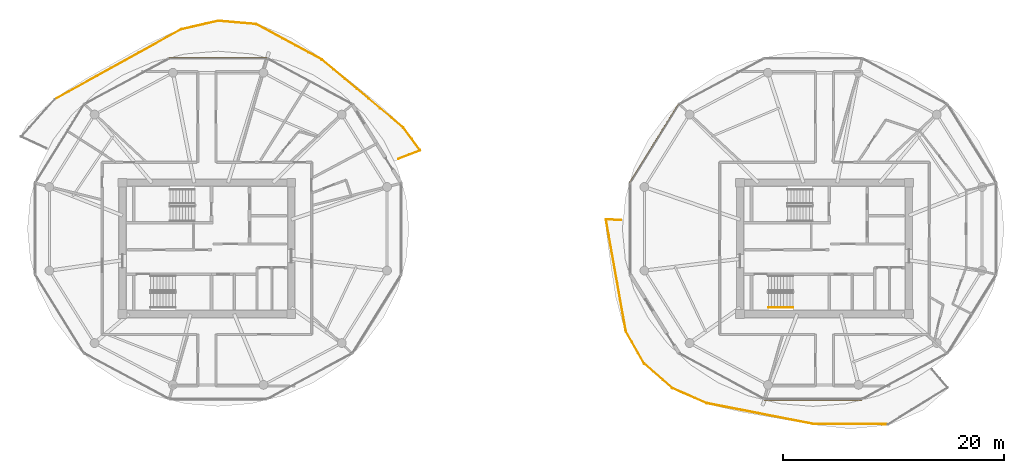
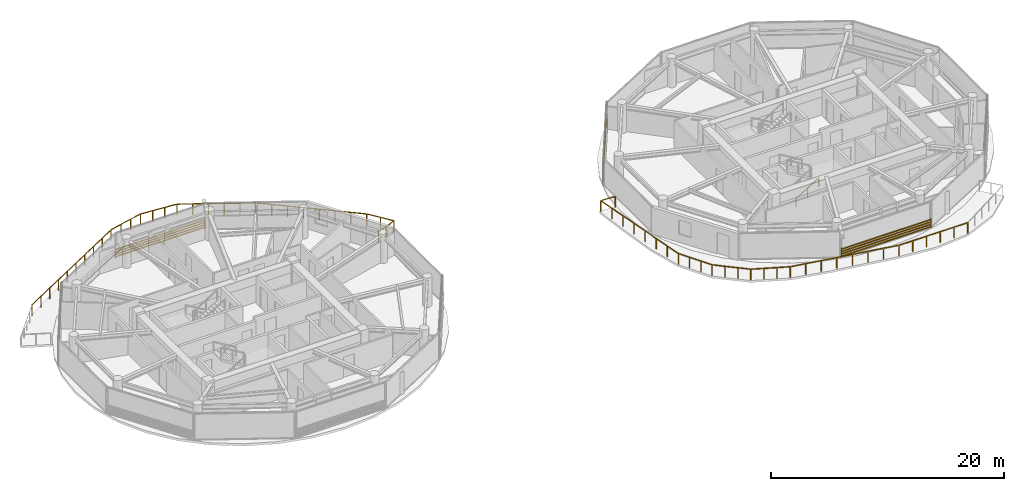
# One storey, part 20 of 21: 3 railings, 3 shading devices.
"""IFC4 building model written with IfcOpenShell, lengths in metres."""

from ifc_helpers import new_model, si_unit, direction, frame, origin, origin_2d, place, context, subcontext, project, spatial, rectangle, extrude, source, transform, mapped, material, type_object, type_shapes, element, save


model = new_model("IFC4")

# Units and contexts
model_context = context("Model", 3, precision=1e-05, world=origin(), true_north=direction((0.0, 1.0)))
body_context = subcontext(model_context, "Body", "Model", "MODEL_VIEW")
ifc_project = project(units=[si_unit("LENGTHUNIT", "METRE"), si_unit("AREAUNIT", "SQUARE_METRE"), si_unit("VOLUMEUNIT", "CUBIC_METRE"), si_unit("PLANEANGLEUNIT", "RADIAN"), si_unit("MASSUNIT", "GRAM", prefix="KILO")], contexts=[model_context])

# Site, building, storey
site_placement = place(None, origin())
site = spatial("IfcSite", under=ifc_project, at=site_placement, CompositionType="ELEMENT")
building_placement = place(site_placement, origin())
building = spatial("IfcBuilding", under=site, at=building_placement, Name="Norrkilde Senior Care Towers", CompositionType="ELEMENT")
storey_placement = place(building_placement, frame((0.0, 0.0, 143.449951171875)))
storey = spatial("IfcBuildingStorey", under=building, at=storey_placement, Name="L44", CompositionType="ELEMENT", Elevation=143.449951171875)

# Railings
ifc_material_1 = material(Name="Anodised Aluminium", Category="aluminium")
railing_type_1 = type_object("IfcRailingType", Name="Balcony Swirl Ribbon Guardrail 1150", PredefinedType="GUARDRAIL", material=ifc_material_1)
railing_1_placement = place(storey_placement, frame((33.777099609375, -15.94775390625, 0.0)))
element("IfcRailing", 1, at=railing_1_placement, inside=storey, type_object=railing_type_1, Name="L44 Perimeter Safety Guard 01", PredefinedType="GUARDRAIL", context=body_context, shape_type="SweptSolid", body=[
    extrude(rectangle(XDim=0.048095703125, YDim=0.048095703125, at=origin_2d()), frame((0.0, 0.0, 1.1259765625), z_axis=(-0.999988221995, 0.00485343915, 0.0), x_axis=(-0.00485343915, -0.999988221995, 0.0)), (0.0, 0.0, 1.0), 6.75),
    extrude(rectangle(XDim=0.048095703125, YDim=0.048095703125, at=origin_2d()), frame((-6.830810546875, 0.040771484375, 1.1259765625), z_axis=(-0.981655827203, 0.19066157693, 0.0), x_axis=(-0.19066157693, -0.981655827203, 0.0)), (0.0, 0.0, 1.0), 9.779296875),
    extrude(rectangle(XDim=0.048095703125, YDim=0.048095703125, at=origin_2d()), frame((-16.50830078125, 1.929443359375, 1.1259765625), z_axis=(-0.915880013553, 0.401452115169, 0.0), x_axis=(-0.401452115169, -0.915880013553, 0.0)), (0.0, 0.0, 1.0), 3.3154296875),
    extrude(rectangle(XDim=0.048095703125, YDim=0.048095703125, at=origin_2d()), frame((-19.613037109375, 3.3037109375, 1.1259765625), z_axis=(-0.752075137513, 0.659077375985, 0.0), x_axis=(-0.659077375985, -0.752075137513, 0.0)), (0.0, 0.0, 1.0), 3.296875),
    extrude(rectangle(XDim=0.048095703125, YDim=0.048095703125, at=origin_2d()), frame((-22.1435546875, 5.5390625, 1.1259765625), z_axis=(-0.49504093983, 0.86886964954, 0.0), x_axis=(-0.86886964954, -0.49504093983, 0.0)), (0.0, 0.0, 1.0), 3.271728515625),
    extrude(rectangle(XDim=0.048095703125, YDim=0.048095703125, at=origin_2d()), frame((-23.79052734375, 8.457763671875, 1.1259765625), z_axis=(-0.175376301925, 0.984501474211, 0.0), x_axis=(-0.984501474211, -0.175376301925, 0.0)), (0.0, 0.0, 1.0), 10.23779296875),
    extrude(rectangle(XDim=0.048095703125, YDim=0.048095703125, at=origin_2d()), frame((-25.552490234375, 18.5751953125, 1.1259765625), z_axis=(0.998765482339, -0.049674050444, 0.0), x_axis=(0.049674050444, 0.998765482339, 0.0)), (0.0, 0.0, 1.0), 1.34521484375),
    extrude(rectangle(XDim=0.0419921875, YDim=0.0419921875, at=origin_2d()), origin(), (0.0, 0.0, 1.0), 1.099853515625),
    extrude(rectangle(XDim=0.0419921875, YDim=0.0419921875, at=origin_2d()), frame((-1.358154296875, 0.006591796875, 0.0)), (0.0, 0.0, 1.0), 1.099853515625),
    extrude(rectangle(XDim=0.0419921875, YDim=0.0419921875, at=origin_2d()), frame((-2.71630859375, 0.01318359375, 0.0)), (0.0, 0.0, 1.0), 1.099853515625),
    extrude(rectangle(XDim=0.0419921875, YDim=0.0419921875, at=origin_2d()), frame((-4.074462890625, 0.019775390625, 0.0)), (0.0, 0.0, 1.0), 1.099853515625),
    extrude(rectangle(XDim=0.0419921875, YDim=0.0419921875, at=origin_2d()), frame((-5.4326171875, 0.0263671875, 0.0)), (0.0, 0.0, 1.0), 1.099853515625),
    extrude(rectangle(XDim=0.0419921875, YDim=0.0419921875, at=origin_2d()), frame((-6.790771484375, 0.032958984375, 0.0)), (0.0, 0.0, 1.0), 1.099853515625),
    extrude(rectangle(XDim=0.0419921875, YDim=0.0419921875, at=origin_2d()), frame((-8.173583984375, 0.301513671875, 0.0)), (0.0, 0.0, 1.0), 1.099853515625),
    extrude(rectangle(XDim=0.0419921875, YDim=0.0419921875, at=origin_2d()), frame((-9.556640625, 0.570068359375, 0.0)), (0.0, 0.0, 1.0), 1.099853515625),
    extrude(rectangle(XDim=0.0419921875, YDim=0.0419921875, at=origin_2d()), frame((-10.939453125, 0.838623046875, 0.0)), (0.0, 0.0, 1.0), 1.099853515625),
    extrude(rectangle(XDim=0.0419921875, YDim=0.0419921875, at=origin_2d()), frame((-12.322265625, 1.107421875, 0.0)), (0.0, 0.0, 1.0), 1.099853515625),
    extrude(rectangle(XDim=0.0419921875, YDim=0.0419921875, at=origin_2d()), frame((-13.705078125, 1.3759765625, 0.0)), (0.0, 0.0, 1.0), 1.099853515625),
    extrude(rectangle(XDim=0.0419921875, YDim=0.0419921875, at=origin_2d()), frame((-15.088134765625, 1.64453125, 0.0)), (0.0, 0.0, 1.0), 1.099853515625),
    extrude(rectangle(XDim=0.0419921875, YDim=0.0419921875, at=origin_2d()), frame((-16.470947265625, 1.9130859375, 0.0)), (0.0, 0.0, 1.0), 1.099853515625),
    extrude(rectangle(XDim=0.0419921875, YDim=0.0419921875, at=origin_2d()), frame((-17.508056640625, 2.36767578125, 0.0)), (0.0, 0.0, 1.0), 1.099853515625),
    extrude(rectangle(XDim=0.0419921875, YDim=0.0419921875, at=origin_2d()), frame((-18.545166015625, 2.822265625, 0.0)), (0.0, 0.0, 1.0), 1.099853515625),
    extrude(rectangle(XDim=0.0419921875, YDim=0.0419921875, at=origin_2d()), frame((-19.582275390625, 3.27685546875, 0.0)), (0.0, 0.0, 1.0), 1.099853515625),
    extrude(rectangle(XDim=0.0419921875, YDim=0.0419921875, at=origin_2d()), frame((-20.42919921875, 4.01904296875, 0.0)), (0.0, 0.0, 1.0), 1.099853515625),
    extrude(rectangle(XDim=0.0419921875, YDim=0.0419921875, at=origin_2d()), frame((-21.2763671875, 4.761474609375, 0.0)), (0.0, 0.0, 1.0), 1.099853515625),
    extrude(rectangle(XDim=0.0419921875, YDim=0.0419921875, at=origin_2d()), frame((-22.123291015625, 5.503662109375, 0.0)), (0.0, 0.0, 1.0), 1.099853515625),
    extrude(rectangle(XDim=0.0419921875, YDim=0.0419921875, at=origin_2d()), frame((-22.6767578125, 6.474853515625, 0.0)), (0.0, 0.0, 1.0), 1.099853515625),
    extrude(rectangle(XDim=0.0419921875, YDim=0.0419921875, at=origin_2d()), frame((-23.22998046875, 7.4462890625, 0.0)), (0.0, 0.0, 1.0), 1.099853515625),
    extrude(rectangle(XDim=0.0419921875, YDim=0.0419921875, at=origin_2d()), frame((-23.783447265625, 8.41748046875, 0.0)), (0.0, 0.0, 1.0), 1.099853515625),
    extrude(rectangle(XDim=0.0419921875, YDim=0.0419921875, at=origin_2d()), frame((-24.0419921875, 9.868896484375, 0.0)), (0.0, 0.0, 1.0), 1.099853515625),
    extrude(rectangle(XDim=0.0419921875, YDim=0.0419921875, at=origin_2d()), frame((-24.300537109375, 11.3203125, 0.0)), (0.0, 0.0, 1.0), 1.099853515625),
    extrude(rectangle(XDim=0.0419921875, YDim=0.0419921875, at=origin_2d()), frame((-24.55908203125, 12.771728515625, 0.0)), (0.0, 0.0, 1.0), 1.099853515625),
    extrude(rectangle(XDim=0.0419921875, YDim=0.0419921875, at=origin_2d()), frame((-24.817626953125, 14.222900390625, 0.0)), (0.0, 0.0, 1.0), 1.099853515625),
    extrude(rectangle(XDim=0.0419921875, YDim=0.0419921875, at=origin_2d()), frame((-25.076171875, 15.67431640625, 0.0)), (0.0, 0.0, 1.0), 1.099853515625),
    extrude(rectangle(XDim=0.0419921875, YDim=0.0419921875, at=origin_2d()), frame((-25.334716796875, 17.125732421875, 0.0)), (0.0, 0.0, 1.0), 1.099853515625),
    extrude(rectangle(XDim=0.0419921875, YDim=0.0419921875, at=origin_2d()), frame((-25.59326171875, 18.5771484375, 0.0)), (0.0, 0.0, 1.0), 1.099853515625),
    extrude(rectangle(XDim=0.0419921875, YDim=0.0419921875, at=origin_2d()), frame((-24.208984375, 18.50830078125, 0.0)), (0.0, 0.0, 1.0), 1.099853515625),
])
railing_2_placement = place(storey_placement, frame((-41.796630859375, 13.52001953125, 0.0)))
element("IfcRailing", 2, at=railing_2_placement, inside=storey, type_object=railing_type_1, Name="L44 Perimeter Safety Guard 03", PredefinedType="GUARDRAIL", context=body_context, shape_type="SweptSolid", body=[
    extrude(rectangle(XDim=0.048095703125, YDim=0.048095703125, at=origin_2d()), frame((0.0, 0.0, 1.1259765625), z_axis=(0.875033034846, 0.484063206542, 0.0), x_axis=(-0.484063206542, 0.875033034846, 0.0)), (0.0, 0.0, 1.0), 13.061279296875),
    extrude(rectangle(XDim=0.048095703125, YDim=0.048095703125, at=origin_2d()), frame((11.504638671875, 6.351318359375, 1.1259765625), z_axis=(0.975056294848, 0.221957702901, 0.0), x_axis=(-0.221957702901, 0.975056294848, 0.0)), (0.0, 0.0, 1.0), 3.366455078125),
    extrude(rectangle(XDim=0.048095703125, YDim=0.048095703125, at=origin_2d()), frame((14.867919921875, 7.104248046875, 1.1259765625), z_axis=(0.996427598182, -0.084451415504, 0.0), x_axis=(0.084451415504, 0.996427598182, 0.0)), (0.0, 0.0, 1.0), 3.3671875),
    extrude(rectangle(XDim=0.048095703125, YDim=0.048095703125, at=origin_2d()), frame((18.299560546875, 6.796875, 1.1259765625), z_axis=(0.880002290911, -0.474969439008, 0.0), x_axis=(0.474969439008, 0.880002290911, 0.0)), (0.0, 0.0, 1.0), 6.68017578125),
    extrude(rectangle(XDim=0.048095703125, YDim=0.048095703125, at=origin_2d()), frame((24.245361328125, 3.57861328125, 1.1259765625), z_axis=(0.767214695963, -0.641390372783, 0.0), x_axis=(0.641390372783, 0.767214695963, 0.0)), (0.0, 0.0, 1.0), 9.5693359375),
    extrude(rectangle(XDim=0.048095703125, YDim=0.048095703125, at=origin_2d()), frame((31.642822265625, -2.618408203125, 1.1259765625), z_axis=(0.591023527291, -0.806654318893, 0.0), x_axis=(0.806654318893, 0.591023527291, 0.0)), (0.0, 0.0, 1.0), 2.47021484375),
    extrude(rectangle(XDim=0.048095703125, YDim=0.048095703125, at=origin_2d()), frame((33.0888671875, -4.65869140625, 1.1259765625), z_axis=(-0.933778420817, -0.357851730214, 0.0), x_axis=(0.357851730214, -0.933778420817, 0.0)), (0.0, 0.0, 1.0), 2.063720703125),
    extrude(rectangle(XDim=0.0419921875, YDim=0.0419921875, at=origin_2d()), origin(), (0.0, 0.0, 1.0), 1.099853515625),
    extrude(rectangle(XDim=0.0419921875, YDim=0.0419921875, at=origin_2d()), frame((1.27392578125, 0.70458984375, 0.0)), (0.0, 0.0, 1.0), 1.099853515625),
    extrude(rectangle(XDim=0.0419921875, YDim=0.0419921875, at=origin_2d()), frame((2.5478515625, 1.409423828125, 0.0)), (0.0, 0.0, 1.0), 1.099853515625),
    extrude(rectangle(XDim=0.0419921875, YDim=0.0419921875, at=origin_2d()), frame((3.821533203125, 2.114013671875, 0.0)), (0.0, 0.0, 1.0), 1.099853515625),
    extrude(rectangle(XDim=0.0419921875, YDim=0.0419921875, at=origin_2d()), frame((5.095458984375, 2.81884765625, 0.0)), (0.0, 0.0, 1.0), 1.099853515625),
    extrude(rectangle(XDim=0.0419921875, YDim=0.0419921875, at=origin_2d()), frame((6.369384765625, 3.5234375, 0.0)), (0.0, 0.0, 1.0), 1.099853515625),
    extrude(rectangle(XDim=0.0419921875, YDim=0.0419921875, at=origin_2d()), frame((7.643310546875, 4.228271484375, 0.0)), (0.0, 0.0, 1.0), 1.099853515625),
    extrude(rectangle(XDim=0.0419921875, YDim=0.0419921875, at=origin_2d()), frame((8.9169921875, 4.932861328125, 0.0)), (0.0, 0.0, 1.0), 1.099853515625),
    extrude(rectangle(XDim=0.0419921875, YDim=0.0419921875, at=origin_2d()), frame((10.19091796875, 5.6376953125, 0.0)), (0.0, 0.0, 1.0), 1.099853515625),
    extrude(rectangle(XDim=0.0419921875, YDim=0.0419921875, at=origin_2d()), frame((11.46484375, 6.34228515625, 0.0)), (0.0, 0.0, 1.0), 1.099853515625),
    extrude(rectangle(XDim=0.0419921875, YDim=0.0419921875, at=origin_2d()), frame((12.585693359375, 6.597412109375, 0.0)), (0.0, 0.0, 1.0), 1.099853515625),
    extrude(rectangle(XDim=0.0419921875, YDim=0.0419921875, at=origin_2d()), frame((13.706298828125, 6.8525390625, 0.0)), (0.0, 0.0, 1.0), 1.099853515625),
    extrude(rectangle(XDim=0.0419921875, YDim=0.0419921875, at=origin_2d()), frame((14.8271484375, 7.107666015625, 0.0)), (0.0, 0.0, 1.0), 1.099853515625),
    extrude(rectangle(XDim=0.0419921875, YDim=0.0419921875, at=origin_2d()), frame((15.97265625, 7.010498046875, 0.0)), (0.0, 0.0, 1.0), 1.099853515625),
    extrude(rectangle(XDim=0.0419921875, YDim=0.0419921875, at=origin_2d()), frame((17.1181640625, 6.91357421875, 0.0)), (0.0, 0.0, 1.0), 1.099853515625),
    extrude(rectangle(XDim=0.0419921875, YDim=0.0419921875, at=origin_2d()), frame((18.263671875, 6.81640625, 0.0)), (0.0, 0.0, 1.0), 1.099853515625),
    extrude(rectangle(XDim=0.0419921875, YDim=0.0419921875, at=origin_2d()), frame((19.453857421875, 6.174072265625, 0.0)), (0.0, 0.0, 1.0), 1.099853515625),
    extrude(rectangle(XDim=0.0419921875, YDim=0.0419921875, at=origin_2d()), frame((20.643798828125, 5.53173828125, 0.0)), (0.0, 0.0, 1.0), 1.099853515625),
    extrude(rectangle(XDim=0.0419921875, YDim=0.0419921875, at=origin_2d()), frame((21.833984375, 4.889404296875, 0.0)), (0.0, 0.0, 1.0), 1.099853515625),
    extrude(rectangle(XDim=0.0419921875, YDim=0.0419921875, at=origin_2d()), frame((23.02392578125, 4.2470703125, 0.0)), (0.0, 0.0, 1.0), 1.099853515625),
    extrude(rectangle(XDim=0.0419921875, YDim=0.0419921875, at=origin_2d()), frame((24.214111328125, 3.604736328125, 0.0)), (0.0, 0.0, 1.0), 1.099853515625),
    extrude(rectangle(XDim=0.0419921875, YDim=0.0419921875, at=origin_2d()), frame((25.27197265625, 2.720458984375, 0.0)), (0.0, 0.0, 1.0), 1.099853515625),
    extrude(rectangle(XDim=0.0419921875, YDim=0.0419921875, at=origin_2d()), frame((26.32958984375, 1.836181640625, 0.0)), (0.0, 0.0, 1.0), 1.099853515625),
    extrude(rectangle(XDim=0.0419921875, YDim=0.0419921875, at=origin_2d()), frame((27.387451171875, 0.951904296875, 0.0)), (0.0, 0.0, 1.0), 1.099853515625),
    extrude(rectangle(XDim=0.0419921875, YDim=0.0419921875, at=origin_2d()), frame((28.4453125, 0.0673828125, 0.0)), (0.0, 0.0, 1.0), 1.099853515625),
    extrude(rectangle(XDim=0.0419921875, YDim=0.0419921875, at=origin_2d()), frame((29.503173828125, -0.81689453125, 0.0)), (0.0, 0.0, 1.0), 1.099853515625),
    extrude(rectangle(XDim=0.0419921875, YDim=0.0419921875, at=origin_2d()), frame((30.560791015625, -1.701171875, 0.0)), (0.0, 0.0, 1.0), 1.099853515625),
    extrude(rectangle(XDim=0.0419921875, YDim=0.0419921875, at=origin_2d()), frame((31.61865234375, -2.58544921875, 0.0)), (0.0, 0.0, 1.0), 1.099853515625),
    extrude(rectangle(XDim=0.0419921875, YDim=0.0419921875, at=origin_2d()), frame((32.372802734375, -3.61474609375, 0.0)), (0.0, 0.0, 1.0), 1.099853515625),
    extrude(rectangle(XDim=0.0419921875, YDim=0.0419921875, at=origin_2d()), frame((33.126953125, -4.64404296875, 0.0)), (0.0, 0.0, 1.0), 1.099853515625),
    extrude(rectangle(XDim=0.0419921875, YDim=0.0419921875, at=origin_2d()), frame((32.144287109375, -5.0205078125, 0.0)), (0.0, 0.0, 1.0), 1.099853515625),
    extrude(rectangle(XDim=0.0419921875, YDim=0.0419921875, at=origin_2d()), frame((31.16162109375, -5.397216796875, 0.0)), (0.0, 0.0, 1.0), 1.099853515625),
])
ifc_material_2 = material(Name="Nordic Ash Timber", Category="wood")
railing_type_2 = type_object("IfcRailingType", Name="Wall and Stair Handrail 900", PredefinedType="HANDRAIL", material=ifc_material_2)
railing_3_placement = place(storey_placement, frame((22.89990234375, -5.35009765625, 0.16943359375)))
element("IfcRailing", 3, at=railing_3_placement, inside=storey, type_object=railing_type_2, Name="L44 ST-E2 stair handrail 1", PredefinedType="HANDRAIL", context=body_context, shape_type="SweptSolid", body=[
    extrude(rectangle(XDim=0.048095703125, YDim=0.048095703125, at=origin_2d()), frame((0.0, 0.0, 0.8759765625), z_axis=(0.855512035549, 0.0, 0.517782924622), x_axis=(0.0, 1.0, 0.0)), (0.0, 0.0, 1.0), 2.618408203125),
    extrude(rectangle(XDim=0.0419921875, YDim=0.0419921875, at=origin_2d()), origin(), (0.0, 0.0, 1.0), 0.849853515625),
    extrude(rectangle(XDim=0.0419921875, YDim=0.0419921875, at=origin_2d()), frame((1.1201171875, 0.0, 0.677734375)), (0.0, 0.0, 1.0), 0.849853515625),
    extrude(rectangle(XDim=0.0419921875, YDim=0.0419921875, at=origin_2d()), frame((2.239990234375, 0.0, 1.355712890625)), (0.0, 0.0, 1.0), 0.849853515625),
])

# Shading devices
ifc_material_3 = material(Name="Architectural Terracotta", Category="masonry")
shading_device_type = type_object("IfcShadingDeviceType", Name="Horizontal Terracotta Baguette Rack", PredefinedType="USERDEFINED", material=ifc_material_3)
shared_shape_1 = source(origin(), body_context, "Body", "SweptSolid", [
    extrude(rectangle(XDim=0.070068359375, YDim=0.110107421875, at=origin_2d()), frame((0.0, 0.090087890625, 0.125), z_axis=(1.0, 0.0, 0.0), x_axis=(0.0, 1.0, 0.0)), (0.0, 0.0, 1.0), 8.89306640625),
    extrude(rectangle(XDim=0.070068359375, YDim=0.110107421875, at=origin_2d()), frame((0.0, 0.090087890625, 0.375), z_axis=(1.0, 0.0, 0.0), x_axis=(0.0, 1.0, 0.0)), (0.0, 0.0, 1.0), 8.89306640625),
    extrude(rectangle(XDim=0.070068359375, YDim=0.110107421875, at=origin_2d()), frame((0.0, 0.090087890625, 0.625), z_axis=(1.0, 0.0, 0.0), x_axis=(0.0, 1.0, 0.0)), (0.0, 0.0, 1.0), 8.89306640625),
    extrude(rectangle(XDim=0.070068359375, YDim=0.110107421875, at=origin_2d()), frame((0.0, 0.090087890625, 0.875), z_axis=(1.0, 0.0, 0.0), x_axis=(0.0, 1.0, 0.0)), (0.0, 0.0, 1.0), 8.89306640625),
    extrude(rectangle(XDim=0.050048828125, YDim=0.1552734375, at=origin_2d()), frame((0.02490234375, 0.047607421875, 0.0)), (0.0, 0.0, 1.0), 1.0),
    extrude(rectangle(XDim=0.050048828125, YDim=0.1552734375, at=origin_2d()), frame((8.8681640625, 0.047607421875, 0.0)), (0.0, 0.0, 1.0), 1.0),
])
for number, where, z_axis, x_axis, name in (
    (4, (-31.421630859375, 17.2109375, 0.080078125), (0.0, 0.0, 1.0), (1.0, 0.0, 0.0), "L44 Drum W Terracotta Baguette Screen 02"),
    (5, (31.421630859375, -13.66015625, 0.080078125), (0.0, 0.0, 1.0), (-1.0, 0.0, 0.0), "L44 Drum E Terracotta Baguette Screen 08"),
):
    element("IfcShadingDevice", number, at=place(storey_placement, frame(where, z_axis=z_axis, x_axis=x_axis)), inside=storey, type_object=shading_device_type, Name=name, ObjectType="BAGUETTE", PredefinedType="USERDEFINED", context=body_context, shape_type="MappedRepresentation", body=[
        mapped(shared_shape_1, transform((0.0, 0.0, 0.0), x_axis=(1.0, 0.0, 0.0), y_axis=(0.0, 1.0, 0.0), z_axis=(0.0, 0.0, 1.0), scale=1.0)),
    ])
shared_shape_2 = source(origin(), body_context, "Body", "SweptSolid", [
    extrude(rectangle(XDim=0.070068359375, YDim=0.110107421875, at=origin_2d()), frame((0.0, 0.090087890625, 0.125), z_axis=(1.0, 0.0, 0.0), x_axis=(0.0, 1.0, 0.0)), (0.0, 0.0, 1.0), 8.431396484375),
    extrude(rectangle(XDim=0.070068359375, YDim=0.110107421875, at=origin_2d()), frame((0.0, 0.090087890625, 0.375), z_axis=(1.0, 0.0, 0.0), x_axis=(0.0, 1.0, 0.0)), (0.0, 0.0, 1.0), 8.431396484375),
    extrude(rectangle(XDim=0.070068359375, YDim=0.110107421875, at=origin_2d()), frame((0.0, 0.090087890625, 0.625), z_axis=(1.0, 0.0, 0.0), x_axis=(0.0, 1.0, 0.0)), (0.0, 0.0, 1.0), 8.431396484375),
    extrude(rectangle(XDim=0.070068359375, YDim=0.110107421875, at=origin_2d()), frame((0.0, 0.090087890625, 0.875), z_axis=(1.0, 0.0, 0.0), x_axis=(0.0, 1.0, 0.0)), (0.0, 0.0, 1.0), 8.431396484375),
    extrude(rectangle(XDim=0.050048828125, YDim=0.1552734375, at=origin_2d()), frame((0.02490234375, 0.047607421875, 0.0)), (0.0, 0.0, 1.0), 1.0),
    extrude(rectangle(XDim=0.050048828125, YDim=0.1552734375, at=origin_2d()), frame((8.40625, 0.047607421875, 0.0)), (0.0, 0.0, 1.0), 1.0),
])
type_shapes(shading_device_type, [shared_shape_1, shared_shape_2])
shading_device_placement = place(storey_placement, frame((10.38037109375, 5.911376953125, 0.080078125), z_axis=(0.0, 0.0, 1.0), x_axis=(0.527378022296, 0.849630809324, 0.0)))
element("IfcShadingDevice", 6, at=shading_device_placement, inside=storey, type_object=shading_device_type, Name="L44 Drum E Terracotta Baguette Screen 04", ObjectType="BAGUETTE", PredefinedType="USERDEFINED", context=body_context, shape_type="MappedRepresentation", body=[
    mapped(shared_shape_2, transform((0.0, 0.0, 0.0), x_axis=(1.0, 0.0, 0.0), y_axis=(0.0, 1.0, 0.0), z_axis=(0.0, 0.0, 1.0), scale=1.0)),
])

save(model, "model.ifc")
